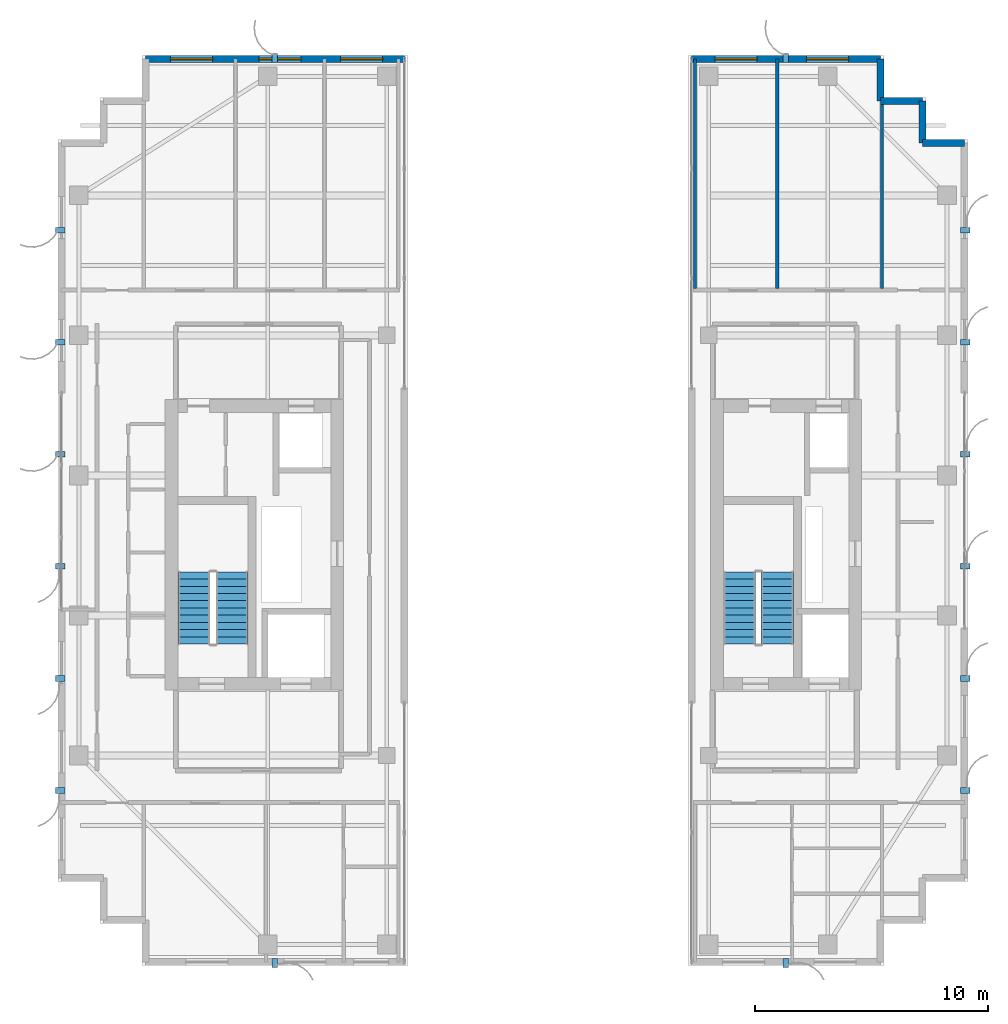
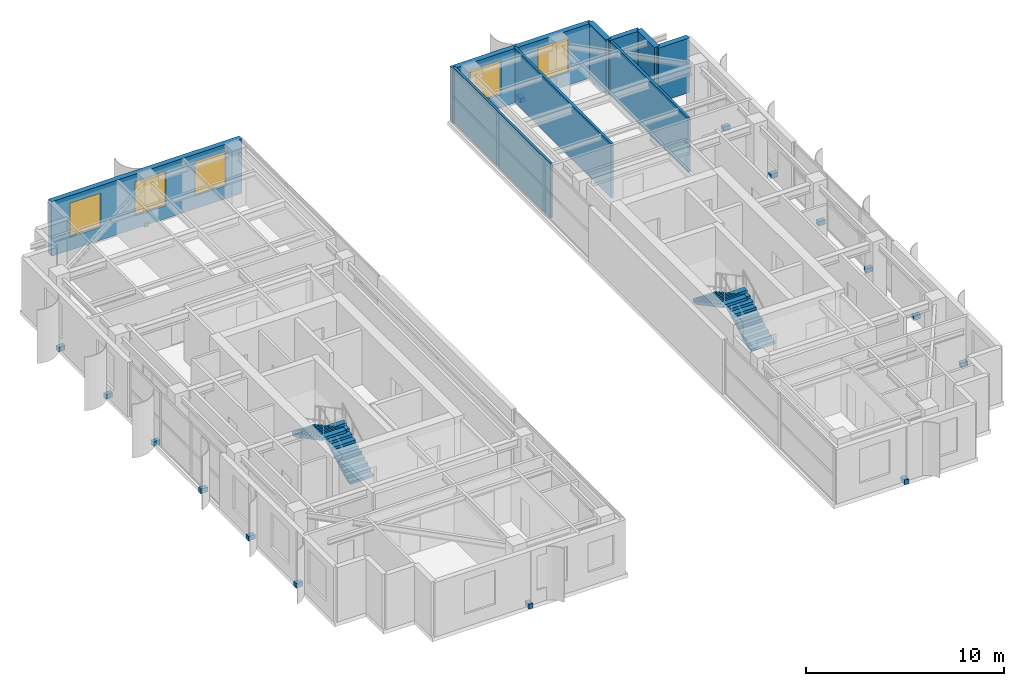
# One storey, part 21 of 24: 16 discrete accessories, 9 walls, 5 windows, 4 stair flights, 5 openings, 2 elements without a shape of their own.
"""IFC4 building model written with IfcOpenShell, lengths in metres."""

from ifc_helpers import new_model, si_unit, direction, frame, frame_2d, origin, origin_2d, place, context, subcontext, project, spatial, polyline, rectangle, outline, extrude, source, transform, mapped, material, layer, layer_set, type_object, element, fill, aggregate, save


model = new_model("IFC4")

# Units and contexts
model_context = context("Model", 3, precision=1e-05, world=origin(), true_north=direction((0.0, 1.0)))
body_context = subcontext(model_context, "Body", "Model", "MODEL_VIEW")
ifc_project = project(units=[si_unit("LENGTHUNIT", "METRE"), si_unit("AREAUNIT", "SQUARE_METRE"), si_unit("VOLUMEUNIT", "CUBIC_METRE"), si_unit("PLANEANGLEUNIT", "RADIAN"), si_unit("MASSUNIT", "GRAM", prefix="KILO")], contexts=[model_context])

# Site, building, storey
site_placement = place(None, origin())
site = spatial("IfcSite", under=ifc_project, at=site_placement, CompositionType="ELEMENT")
building_placement = place(site_placement, origin())
building = spatial("IfcBuilding", under=site, at=building_placement, Name="Khoralis Quay Care Tower", CompositionType="ELEMENT")
storey_placement = place(building_placement, frame((0.0, 0.0, 238.5)))
storey = spatial("IfcBuildingStorey", under=building, at=storey_placement, Name="L62", CompositionType="ELEMENT", Elevation=238.5)

# Wall, openings, windows
ifc_material_1 = material(Name="Precast concrete C45/55", Category="concrete")
ifc_layer_1 = layer(ifc_material_1, 0.300048828125)
ifc_layer_set_1 = layer_set([ifc_layer_1], Name="Precast concrete C45/55")
wall_type_1 = type_object("IfcWallType", Name="WL-EXT-REF-300", PredefinedType="SOLIDWALL", material=ifc_layer_set_1)
wall_1_placement = place(storey_placement, frame((17.85009765625, 41.85009765625, 0.0), z_axis=(0.0, 0.0, 1.0), x_axis=(-1.0, 0.0, 0.0)))
wall_1 = element("IfcWall", 1, at=wall_1_placement, inside=storey, type_object=wall_type_1, Name="L62 External Facade Wall WL-EXT-L62-P1-E2", PredefinedType="SOLIDWALL", context=body_context, shape_type="SweptSolid", body=[
    extrude(rectangle(XDim=11.10009765625, YDim=0.300048828125, at=frame_2d((5.550048828125, 0.0))), origin(), (0.0, 0.0, 1.0), 3.360107421875),
])
opening_1_placement = place(wall_1_placement, frame((0.93505859375, 0.0, 0.800048828125)))
opening_1 = element("IfcOpeningElement", 2, at=opening_1_placement, cuts=wall_1, Name="Opening W2", PredefinedType="OPENING", context=body_context, shape_type="SweptSolid", body=[
    extrude(rectangle(XDim=1.800048828125, YDim=2.10009765625, at=frame_2d((0.89990234375, 1.050048828125))), frame((0.0, 0.16015625, 0.0), z_axis=(0.0, -1.0, 0.0), x_axis=(1.0, 0.0, 0.0)), (0.0, 0.0, 1.0), 0.320068359375),
])
opening_2_placement = place(wall_1_placement, frame((4.429931640625, 0.0, 0.800048828125)))
opening_2 = element("IfcOpeningElement", 3, at=opening_2_placement, cuts=wall_1, Name="Opening W2", PredefinedType="OPENING", context=body_context, shape_type="SweptSolid", body=[
    extrude(rectangle(XDim=1.800048828125, YDim=2.10009765625, at=frame_2d((0.89990234375, 1.050048828125))), frame((0.0, 0.16015625, 0.0), z_axis=(0.0, -1.0, 0.0), x_axis=(1.0, 0.0, 0.0)), (0.0, 0.0, 1.0), 0.320068359375),
])
opening_3_placement = place(wall_1_placement, frame((8.219970703125, 0.0, 0.800048828125)))
opening_3 = element("IfcOpeningElement", 4, at=opening_3_placement, cuts=wall_1, Name="Opening W2", PredefinedType="OPENING", context=body_context, shape_type="SweptSolid", body=[
    extrude(rectangle(XDim=1.800048828125, YDim=2.10009765625, at=frame_2d((0.89990234375, 1.050048828125))), frame((0.0, 0.16015625, 0.0), z_axis=(0.0, -1.0, 0.0), x_axis=(1.0, 0.0, 0.0)), (0.0, 0.0, 1.0), 0.320068359375),
])
ifc_material_2 = material(Name="Low-E solar-control double glazing", Category="glass")
window_type = type_object("IfcWindowType", Name="WN-POD-1800X2100", PartitioningType="SINGLE_PANEL", PredefinedType="WINDOW", material=ifc_material_2)
shared_shape_1 = source(origin(), body_context, "Body", "SweptSolid", [
    extrude(rectangle(XDim=1.800048828125, YDim=2.10009765625, at=frame_2d((0.89990234375, 1.050048828125))), frame((0.0, 0.030029296875, 0.0), z_axis=(0.0, -1.0, 0.0), x_axis=(1.0, 0.0, 0.0)), (0.0, 0.0, 1.0), 0.06005859375),
])
window_1_placement = place(opening_1_placement, origin())
window_1 = element("IfcWindow", 5, at=window_1_placement, inside=storey, type_object=window_type, Name="WN-L62-P1-E2 Facade Window 01", OverallHeight=2.10009765625, OverallWidth=1.800048828125, PartitioningType="SINGLE_PANEL", PredefinedType="WINDOW", context=body_context, shape_type="MappedRepresentation", body=[
    mapped(shared_shape_1, transform((0.0, 0.0, 0.0), scale=1.0)),
])
fill(opening_1, window_1)
window_2_placement = place(opening_2_placement, origin())
window_2 = element("IfcWindow", 6, at=window_2_placement, inside=storey, type_object=window_type, Name="WN-L62-P1-E2 Facade Window 02", OverallHeight=2.10009765625, OverallWidth=1.800048828125, PartitioningType="SINGLE_PANEL", PredefinedType="WINDOW", context=body_context, shape_type="MappedRepresentation", body=[
    mapped(shared_shape_1, transform((0.0, 0.0, 0.0), scale=1.0)),
])
fill(opening_2, window_2)
window_3_placement = place(opening_3_placement, origin())
window_3 = element("IfcWindow", 7, at=window_3_placement, inside=storey, type_object=window_type, Name="WN-L62-P1-E2 Facade Window 03", OverallHeight=2.10009765625, OverallWidth=1.800048828125, PartitioningType="SINGLE_PANEL", PredefinedType="WINDOW", context=body_context, shape_type="MappedRepresentation", body=[
    mapped(shared_shape_1, transform((0.0, 0.0, 0.0), scale=1.0)),
])
fill(opening_3, window_3)

# Walls
for number, where, z_axis, x_axis, name in (
    (8, (41.85009765625, 38.25, 0.0), (0.0, 0.0, 1.0), (-1.0, 0.0, 0.0), "L62 External Facade Wall WL-EXT-L62-P2-C6"),
    (9, (40.050048828125, 38.25, 0.0), (0.0, 0.0, 1.0), (0.0, 1.0, 0.0), "L62 External Facade Wall WL-EXT-L62-P2-C7"),
    (10, (40.050048828125, 40.050048828125, 0.0), (0.0, 0.0, 1.0), (-1.0, 0.0, 0.0), "L62 External Facade Wall WL-EXT-L62-P2-C8"),
    (11, (38.25, 40.050048828125, 0.0), (0.0, 0.0, 1.0), (0.0, 1.0, 0.0), "L62 External Facade Wall WL-EXT-L62-P2-C9"),
):
    element("IfcWall", number, at=place(storey_placement, frame(where, z_axis=z_axis, x_axis=x_axis)), inside=storey, type_object=wall_type_1, Name=name, PredefinedType="SOLIDWALL", context=body_context, shape_type="SweptSolid", body=[
        extrude(rectangle(XDim=1.800048828125, YDim=0.300048828125, at=frame_2d((0.89990234375, 0.0))), origin(), (0.0, 0.0, 1.0), 3.360107421875),
    ])

# Wall, openings, windows
wall_2_placement = place(storey_placement, frame((38.25, 41.85009765625, 0.0), z_axis=(0.0, 0.0, 1.0), x_axis=(-1.0, 0.0, 0.0)))
wall_2 = element("IfcWall", 12, at=wall_2_placement, inside=storey, type_object=wall_type_1, Name="L62 External Facade Wall WL-EXT-L62-P2-E10", PredefinedType="SOLIDWALL", context=body_context, shape_type="SweptSolid", body=[
    extrude(rectangle(XDim=8.10009765625, YDim=0.300048828125, at=frame_2d((4.050048828125, 0.0))), origin(), (0.0, 0.0, 1.0), 3.360107421875),
])
opening_4_placement = place(wall_2_placement, frame((1.360107421875, 0.0, 0.800048828125)))
opening_4 = element("IfcOpeningElement", 13, at=opening_4_placement, cuts=wall_2, Name="Opening W2", PredefinedType="OPENING", context=body_context, shape_type="SweptSolid", body=[
    extrude(rectangle(XDim=1.800048828125, YDim=2.10009765625, at=frame_2d((0.89990234375, 1.050048828125))), frame((0.0, 0.16015625, 0.0), z_axis=(0.0, -1.0, 0.0), x_axis=(1.0, 0.0, 0.0)), (0.0, 0.0, 1.0), 0.320068359375),
])
opening_5_placement = place(wall_2_placement, frame((5.284912109375, 0.0, 0.800048828125)))
opening_5 = element("IfcOpeningElement", 14, at=opening_5_placement, cuts=wall_2, Name="Opening W2", PredefinedType="OPENING", context=body_context, shape_type="SweptSolid", body=[
    extrude(rectangle(XDim=1.800048828125, YDim=2.10009765625, at=frame_2d((0.89990234375, 1.050048828125))), frame((0.0, 0.16015625, 0.0), z_axis=(0.0, -1.0, 0.0), x_axis=(1.0, 0.0, 0.0)), (0.0, 0.0, 1.0), 0.320068359375),
])
window_4_placement = place(opening_4_placement, origin())
window_4 = element("IfcWindow", 15, at=window_4_placement, inside=storey, type_object=window_type, Name="WN-L62-P2-E10 Facade Window 01", OverallHeight=2.10009765625, OverallWidth=1.800048828125, PartitioningType="SINGLE_PANEL", PredefinedType="WINDOW", context=body_context, shape_type="MappedRepresentation", body=[
    mapped(shared_shape_1, transform((0.0, 0.0, 0.0), scale=1.0)),
])
fill(opening_4, window_4)
window_5_placement = place(opening_5_placement, origin())
window_5 = element("IfcWindow", 16, at=window_5_placement, inside=storey, type_object=window_type, Name="WN-L62-P2-E10 Facade Window 02", OverallHeight=2.10009765625, OverallWidth=1.800048828125, PartitioningType="SINGLE_PANEL", PredefinedType="WINDOW", context=body_context, shape_type="MappedRepresentation", body=[
    mapped(shared_shape_1, transform((0.0, 0.0, 0.0), scale=1.0)),
])
fill(opening_5, window_5)

# Walls
ifc_material_3 = material(Name="Gypsum plasterboard on acoustic metal stud")
ifc_layer_2 = layer(ifc_material_3, 0.139892578125)
ifc_layer_set_2 = layer_set([ifc_layer_2], Name="Gypsum plasterboard on acoustic metal stud")
wall_type_2 = type_object("IfcWallType", Name="WL-UNIT-140", PredefinedType="PARTITIONING", material=ifc_layer_set_2)
for number, where, z_axis, x_axis, name in (
    (17, (30.300048828125, 32.017578125, 0.0), (0.0, 0.0, 1.0), (0.0, 1.0, 0.0), "L62 EN Demising Wall 0"),
    (18, (33.830078125, 32.017578125, 0.0), (0.0, 0.0, 1.0), (0.0, 1.0, 0.0), "L62 EN Demising Wall 1"),
):
    element("IfcWall", number, at=place(storey_placement, frame(where, z_axis=z_axis, x_axis=x_axis)), inside=storey, type_object=wall_type_2, Name=name, PredefinedType="PARTITIONING", context=body_context, shape_type="SweptSolid", body=[
        extrude(rectangle(XDim=9.83740234375, YDim=0.139892578125, at=frame_2d((4.918701171875, 0.0))), origin(), (0.0, 0.0, 1.0), 3.360107421875),
    ])
wall_3_placement = place(storey_placement, frame((38.320068359375, 32.017578125, 0.0), z_axis=(0.0, 0.0, 1.0), x_axis=(0.0, 1.0, 0.0)))
element("IfcWall", 19, at=wall_3_placement, inside=storey, type_object=wall_type_2, Name="L62 EN Demising Wall 2", PredefinedType="PARTITIONING", context=body_context, shape_type="SweptSolid", body=[
    extrude(rectangle(XDim=8.037353515625, YDim=0.139892578125, at=frame_2d((4.0185546875, 0.0))), origin(), (0.0, 0.0, 1.0), 3.360107421875),
])

# Stair, stair flights
stair_type = type_object("IfcStairType", Name="ST-TWR-DOGLEG-1400", PredefinedType="HALF_TURN_STAIR", material=ifc_material_1)
stair_1_placement = place(storey_placement, origin())
stair_1 = element("IfcStair", 20, at=stair_1_placement, inside=storey, type_object=stair_type, Name="L62 West Core Exit Stair ST-T1", PredefinedType="HALF_TURN_STAIR")
stair_flight_type = type_object("IfcStairFlightType", Name="SF-TWR-1400", PredefinedType="STRAIGHT", material=ifc_material_1)
shared_shape_2 = source(origin(), body_context, "Body", "SweptSolid", [
    extrude(outline(polyline([(0.0, 0.0), (0.0, 0.16357421875), (0.31005859375, 0.16357421875), (0.31005859375, 0.327392578125), (0.6201171875, 0.327392578125), (0.6201171875, 0.490966796875), (0.929931640625, 0.490966796875), (0.929931640625, 0.654541015625), (1.239990234375, 0.654541015625), (1.239990234375, 0.818115234375), (1.550048828125, 0.818115234375), (1.550048828125, 0.98193359375), (1.860107421875, 0.98193359375), (1.860107421875, 1.1455078125), (2.169921875, 1.1455078125), (2.169921875, 1.30908203125), (2.47998046875, 1.30908203125), (2.47998046875, 1.47265625), (2.7900390625, 1.47265625), (2.7900390625, 1.636474609375), (3.10009765625, 1.636474609375), (3.10009765625, 1.800048828125), (3.10009765625, 1.466796875), (0.321044921875, 0.0), (0.0, 0.0)])), frame((0.0, 0.68994140625, 0.0), z_axis=(0.0, -1.0, 0.0), x_axis=(1.0, 0.0, 0.0)), (0.0, 0.0, 1.0), 1.3798828125),
])
stair_flight_1_placement = place(storey_placement, frame((10.4599609375, 16.77001953125, 0.0), z_axis=(0.0, 0.0, 1.0), x_axis=(0.0, 1.0, 0.0)))
stair_flight_1 = element("IfcStairFlight", 21, at=stair_flight_1_placement, type_object=stair_flight_type, Name="ST-T1 flight 1", NumberOfRisers=11, NumberOfTreads=10, PredefinedType="STRAIGHT", RiserHeight=0.163636364, TreadLength=0.31, context=body_context, shape_type="MappedRepresentation", body=[
    mapped(shared_shape_2, transform((0.0, 0.0, 0.0), scale=1.0)),
])
stair_flight_2_placement = place(storey_placement, frame((8.840087890625, 19.8701171875, 1.800048828125), z_axis=(0.0, 0.0, 1.0), x_axis=(0.0, -1.0, 0.0)))
stair_flight_2 = element("IfcStairFlight", 22, at=stair_flight_2_placement, type_object=stair_flight_type, Name="ST-T1 flight 2", NumberOfRisers=11, NumberOfTreads=10, PredefinedType="STRAIGHT", RiserHeight=0.163636364, TreadLength=0.31, context=body_context, shape_type="MappedRepresentation", body=[
    mapped(shared_shape_2, transform((0.0, 0.0, 0.0), scale=1.0)),
])
aggregate(stair_1, [stair_flight_1, stair_flight_2])

stair_2_placement = place(storey_placement, origin())
stair_2 = element("IfcStair", 23, at=stair_2_placement, inside=storey, type_object=stair_type, Name="L62 East Core Exit Stair ST-T2", PredefinedType="HALF_TURN_STAIR")
stair_flight_3_placement = place(storey_placement, frame((33.830078125, 16.77001953125, 0.0), z_axis=(0.0, 0.0, 1.0), x_axis=(0.0, 1.0, 0.0)))
stair_flight_3 = element("IfcStairFlight", 24, at=stair_flight_3_placement, type_object=stair_flight_type, Name="ST-T2 flight 1", NumberOfRisers=11, NumberOfTreads=10, PredefinedType="STRAIGHT", RiserHeight=0.163636364, TreadLength=0.31, context=body_context, shape_type="MappedRepresentation", body=[
    mapped(shared_shape_2, transform((0.0, 0.0, 0.0), scale=1.0)),
])
stair_flight_4_placement = place(storey_placement, frame((32.2099609375, 19.8701171875, 1.800048828125), z_axis=(0.0, 0.0, 1.0), x_axis=(0.0, -1.0, 0.0)))
stair_flight_4 = element("IfcStairFlight", 25, at=stair_flight_4_placement, type_object=stair_flight_type, Name="ST-T2 flight 2", NumberOfRisers=11, NumberOfTreads=10, PredefinedType="STRAIGHT", RiserHeight=0.163636364, TreadLength=0.31, context=body_context, shape_type="MappedRepresentation", body=[
    mapped(shared_shape_2, transform((0.0, 0.0, 0.0), scale=1.0)),
])
aggregate(stair_2, [stair_flight_3, stair_flight_4])

# Discrete accessories
ifc_material_4 = material(Name="Brushed stainless steel", Category="steel")
discrete_accessory_type = type_object("IfcDiscreteAccessoryType", Name="ACC-FIN-BRACKET", PredefinedType="BRACKET", material=ifc_material_4)
shared_shape_3 = source(origin(), body_context, "Body", "SweptSolid", [
    extrude(rectangle(XDim=0.39990234375, YDim=0.239990234375, at=origin_2d()), origin(), (0.0, 0.0, 1.0), 0.280029296875),
])
for number, where, z_axis, x_axis, name in (
    (26, (12.300048828125, 3.110107421875, -0.1201171875), (0.0, 0.0, 1.0), (0.0, -1.0, 0.0), "L62 Solar Fin Bracket P1E0-01"),
    (27, (12.300048828125, 41.889892578125, -0.1201171875), (0.0, 0.0, 1.0), (0.0, 1.0, 0.0), "L62 Solar Fin Bracket P1E2-01"),
    (28, (3.110107421875, 34.5, -0.1201171875), (0.0, 0.0, 1.0), (-1.0, 0.0, 0.0), "L62 Solar Fin Bracket P1E7-01"),
    (29, (3.110107421875, 29.699951171875, -0.1201171875), (0.0, 0.0, 1.0), (-1.0, 0.0, 0.0), "L62 Solar Fin Bracket P1E7-02"),
    (30, (3.110107421875, 24.89990234375, -0.1201171875), (0.0, 0.0, 1.0), (-1.0, 0.0, 0.0), "L62 Solar Fin Bracket P1E7-03"),
    (31, (3.110107421875, 20.10009765625, -0.1201171875), (0.0, 0.0, 1.0), (-1.0, 0.0, 0.0), "L62 Solar Fin Bracket P1E7-04"),
    (32, (3.110107421875, 15.300048828125, -0.1201171875), (0.0, 0.0, 1.0), (-1.0, 0.0, 0.0), "L62 Solar Fin Bracket P1E7-05"),
    (33, (3.110107421875, 10.5, -0.1201171875), (0.0, 0.0, 1.0), (-1.0, 0.0, 0.0), "L62 Solar Fin Bracket P1E7-06"),
    (34, (34.199951171875, 3.110107421875, -0.1201171875), (0.0, 0.0, 1.0), (0.0, -1.0, 0.0), "L62 Solar Fin Bracket P2E0-01"),
    (35, (41.889892578125, 10.5, -0.1201171875), (0.0, 0.0, 1.0), (1.0, 0.0, 0.0), "L62 Solar Fin Bracket P2E5-01"),
    (36, (41.889892578125, 15.300048828125, -0.1201171875), (0.0, 0.0, 1.0), (1.0, 0.0, 0.0), "L62 Solar Fin Bracket P2E5-02"),
    (37, (41.889892578125, 20.10009765625, -0.1201171875), (0.0, 0.0, 1.0), (1.0, 0.0, 0.0), "L62 Solar Fin Bracket P2E5-03"),
    (38, (41.889892578125, 24.89990234375, -0.1201171875), (0.0, 0.0, 1.0), (1.0, 0.0, 0.0), "L62 Solar Fin Bracket P2E5-04"),
    (39, (41.889892578125, 29.699951171875, -0.1201171875), (0.0, 0.0, 1.0), (1.0, 0.0, 0.0), "L62 Solar Fin Bracket P2E5-05"),
    (40, (41.889892578125, 34.5, -0.1201171875), (0.0, 0.0, 1.0), (1.0, 0.0, 0.0), "L62 Solar Fin Bracket P2E5-06"),
    (41, (34.199951171875, 41.889892578125, -0.1201171875), (0.0, 0.0, 1.0), (0.0, 1.0, 0.0), "L62 Solar Fin Bracket P2E10-01"),
):
    element("IfcDiscreteAccessory", number, at=place(storey_placement, frame(where, z_axis=z_axis, x_axis=x_axis)), inside=storey, type_object=discrete_accessory_type, Name=name, PredefinedType="BRACKET", context=body_context, shape_type="MappedRepresentation", body=[
        mapped(shared_shape_3, transform((0.0, 0.0, 0.0), scale=1.0)),
    ])

save(model, "model.ifc")
